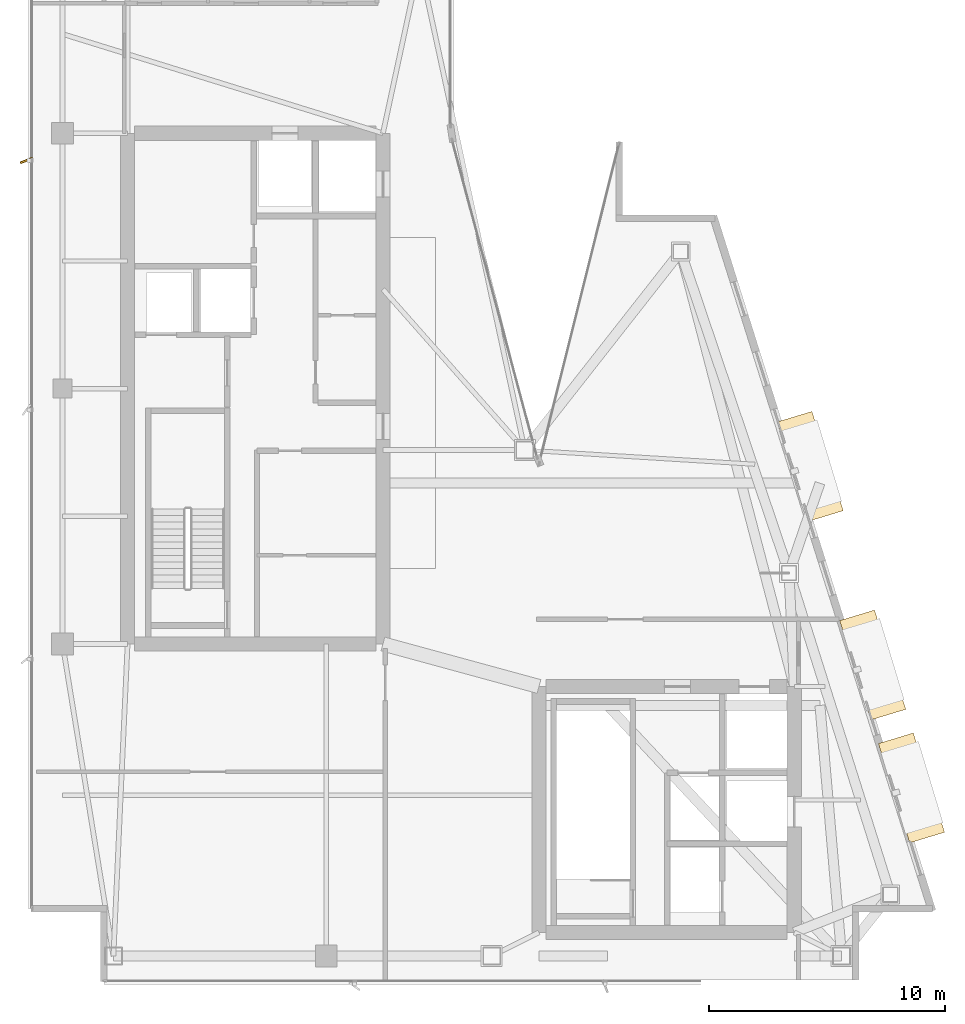
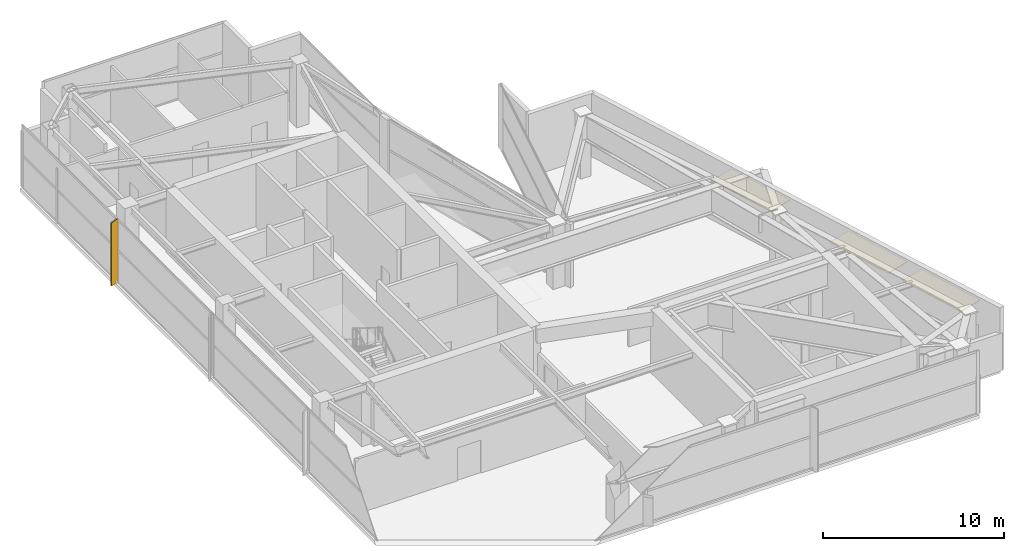
# One storey, part 25 of 25: 3 coverings, 1 shading device.
"""IFC4 building model written with IfcOpenShell, lengths in metres."""

from ifc_helpers import new_model, si_unit, direction, frame, origin, origin_2d, place, context, subcontext, project, spatial, polyline, rectangle, outline, extrude, material, layer, layer_set, type_object, element, save


model = new_model("IFC4")

# Units and contexts
model_context = context("Model", 3, precision=1e-05, world=origin(), true_north=direction((0.0, 1.0)))
body_context = subcontext(model_context, "Body", "Model", "MODEL_VIEW")
ifc_project = project(units=[si_unit("LENGTHUNIT", "METRE"), si_unit("AREAUNIT", "SQUARE_METRE"), si_unit("VOLUMEUNIT", "CUBIC_METRE"), si_unit("PLANEANGLEUNIT", "RADIAN"), si_unit("MASSUNIT", "GRAM", prefix="KILO")], contexts=[model_context])

# Site, building, storey
site_placement = place(None, origin())
site = spatial("IfcSite", under=ifc_project, at=site_placement, CompositionType="ELEMENT")
building_placement = place(site_placement, origin())
building = spatial("IfcBuilding", under=site, at=building_placement, Name="Calvorn Quay Hotel", CompositionType="ELEMENT")
storey_placement = place(building_placement, frame((0.0, 0.0, 316.0)))
storey = spatial("IfcBuildingStorey", under=building, at=storey_placement, Name="L78", CompositionType="ELEMENT", Elevation=316.0)

# Coverings
ifc_material_1 = material(Name="Pale Anodised Aluminium Rainscreen Cladding", Category="aluminium")
ifc_layer = layer(ifc_material_1, 0.044921875)
ifc_layer_set = layer_set([ifc_layer], Name="COV-CROWN-CLAD")
covering_type = type_object("IfcCoveringType", Name="COV-CROWN-CLAD", PredefinedType="CLADDING", material=ifc_layer_set)
covering_1_placement = place(storey_placement, frame((0.0, 0.0, 2.5048828125)))
element("IfcCovering", 1, at=covering_1_placement, inside=storey, type_object=covering_type, Name="Angled Bay Hood Canopy L78-HOOD-1", PredefinedType="CLADDING", context=body_context, shape_type="SweptSolid", body=[
    extrude(outline(polyline([(35.95703125, 12.587890625), (37.429931640625, 13.034912109375), (38.7529296875, 8.8349609375), (37.280029296875, 8.387939453125), (35.95703125, 12.587890625)])), origin(), (0.0, 0.0, 1.0), 0.045166015625),
])
covering_2_placement = place(storey_placement, frame((0.0, 0.0, 2.5048828125)))
element("IfcCovering", 2, at=covering_2_placement, inside=storey, type_object=covering_type, Name="Angled Bay Hood Canopy L78-HOOD-2", PredefinedType="CLADDING", context=body_context, shape_type="SweptSolid", body=[
    extrude(outline(polyline([(34.318115234375, 17.7880859375), (35.791015625, 18.235107421875), (37.114013671875, 14.034912109375), (35.64111328125, 13.587890625), (34.318115234375, 17.7880859375)])), origin(), (0.0, 0.0, 1.0), 0.045166015625),
])
covering_3_placement = place(storey_placement, frame((0.0, 0.0, 2.5048828125)))
element("IfcCovering", 3, at=covering_3_placement, inside=storey, type_object=covering_type, Name="Angled Bay Hood Canopy L78-HOOD-3", PredefinedType="CLADDING", context=body_context, shape_type="SweptSolid", body=[
    extrude(outline(polyline([(31.672119140625, 26.18798828125), (33.14501953125, 26.635009765625), (34.468017578125, 22.43505859375), (32.9951171875, 21.988037109375), (31.672119140625, 26.18798828125)])), origin(), (0.0, 0.0, 1.0), 0.045166015625),
])

# Shading device
ifc_material_2 = material(Name="Champagne Bronze Anodised Aluminium 6063-T6", Category="aluminium")
shading_device_type = type_object("IfcShadingDeviceType", Name="SHD-FIN-A1", PredefinedType="USERDEFINED", material=ifc_material_2)
shading_device_placement = place(storey_placement, frame((-0.080078125, 37.25, 0.0), z_axis=(0.0, 0.0, 1.0), x_axis=(0.927183854567, 0.374606593416, 0.0)))
element("IfcShadingDevice", 4, at=shading_device_placement, inside=storey, type_object=shading_device_type, Name="Diagonal Sun-Shading Fin L78-W03", ObjectType="FIN", PredefinedType="USERDEFINED", context=body_context, shape_type="SweptSolid", body=[
    extrude(rectangle(XDim=0.550048828125, YDim=0.080078125, at=origin_2d()), origin(), (0.0, 0.0, 1.0), 4.260009765625),
])

save(model, "model.ifc")
